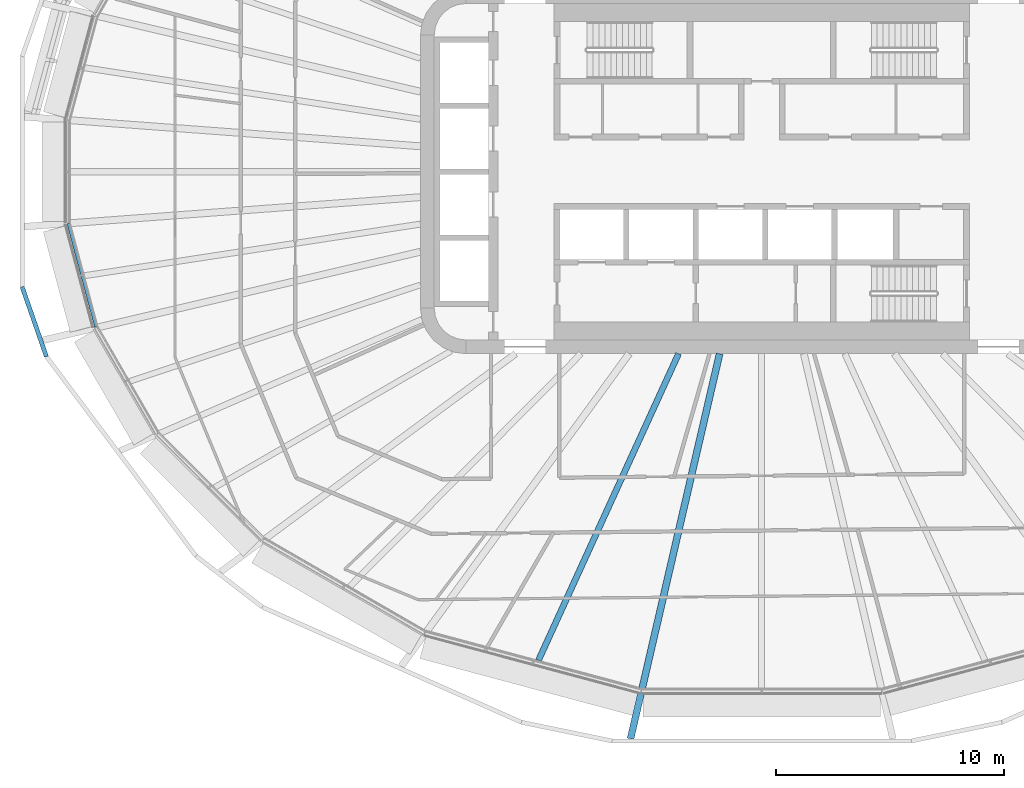
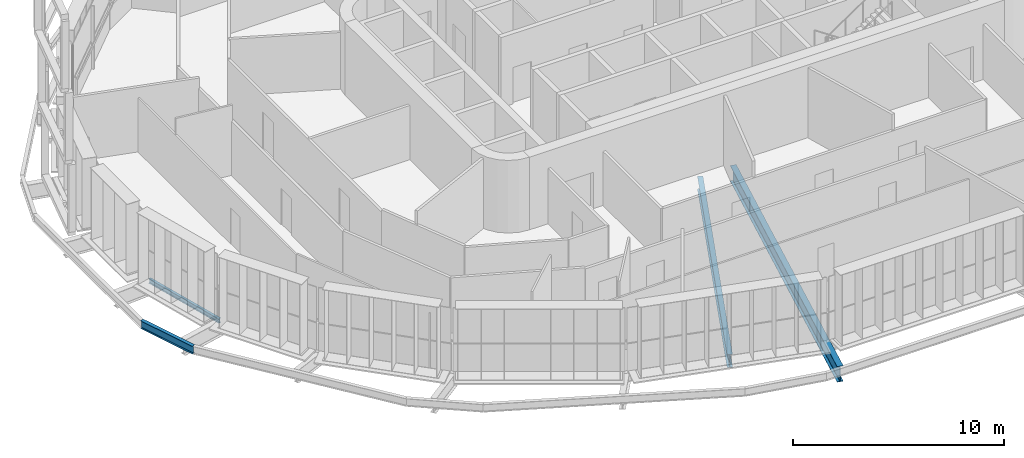
# One storey, part 2 of 24: 4 beams.
"""IFC4 building model written with IfcOpenShell, lengths in metres."""

from ifc_helpers import new_model, si_unit, direction, frame, origin, origin_2d, place, context, subcontext, project, spatial, i_section, extrude, material, material_profile, profile_set, type_object, element, save


model = new_model("IFC4")

# Units and contexts
model_context = context("Model", 3, precision=1e-05, world=origin(), true_north=direction((0.0, 1.0)))
body_context = subcontext(model_context, "Body", "Model", "MODEL_VIEW")
ifc_project = project(units=[si_unit("LENGTHUNIT", "METRE"), si_unit("AREAUNIT", "SQUARE_METRE"), si_unit("VOLUMEUNIT", "CUBIC_METRE"), si_unit("PLANEANGLEUNIT", "RADIAN"), si_unit("MASSUNIT", "GRAM", prefix="KILO")], contexts=[model_context])

# Site, building, storey
site_placement = place(None, origin())
site = spatial("IfcSite", under=ifc_project, at=site_placement, CompositionType="ELEMENT")
building_placement = place(site_placement, origin())
building = spatial("IfcBuilding", under=site, at=building_placement, Name="Sahrelin Media Tower", CompositionType="ELEMENT")
storey_placement = place(building_placement, frame((0.0, 0.0, 58.800048828125)))
storey = spatial("IfcBuildingStorey", under=building, at=storey_placement, Name="L09", CompositionType="ELEMENT", Elevation=58.800048828125)

# Beams
ifc_material = material(Name="Steel S355", Category="steel")
ifc_material_profile_1 = material_profile(ifc_material, i_section(OverallWidth=0.14599609375, OverallDepth=0.25146484375, WebThickness=0.006103515625, FlangeThickness=0.008544921875, FilletRadius=0.007568359375, at=origin_2d()), Name="UB 254x146x31")
ifc_profile_set_1 = profile_set([ifc_material_profile_1], Name="Steel S355")
beam_type_1 = type_object("IfcBeamType", Name="Edge beam EB1", PredefinedType="BEAM", material=ifc_profile_set_1)
beam_1_placement = place(storey_placement, frame((-29.247314453125, -6.818115234375, -0.275634765625), z_axis=(-0.258819114227, 0.965925807767, 0.0), x_axis=(-0.965925807767, -0.258819114227, 0.0)))
element("IfcBeam", 1, at=beam_1_placement, inside=storey, type_object=beam_type_1, Name="Edge beam L09-12", PredefinedType="BEAM", context=body_context, shape_type="SweptSolid", body=[
    extrude(i_section(OverallWidth=0.14599609375, OverallDepth=0.25146484375, WebThickness=0.006103515625, FlangeThickness=0.008544921875, FilletRadius=0.007568359375, at=origin_2d()), origin(), (0.0, 0.0, 1.0), 4.703125),
])
ifc_material_profile_2 = material_profile(ifc_material, i_section(OverallWidth=0.30322265625, OverallDepth=0.903076171875, WebThickness=0.01513671875, FlangeThickness=0.020263671875, FilletRadius=0.01904296875, at=origin_2d()), Name="UB 914x305x201")
ifc_profile_set_2 = profile_set([ifc_material_profile_2], Name="Steel S355")
beam_type_2 = type_object("IfcBeamType", Name="Radial primary beam PB11", PredefinedType="BEAM", material=ifc_profile_set_2)
beam_2_placement = place(storey_placement, frame((-1.85107421875, -8.0, -0.6015625), z_axis=(-0.225438360728, -0.974257432875, 0.0), x_axis=(0.974257432875, -0.225438360728, 0.0)))
element("IfcBeam", 2, at=beam_2_placement, inside=storey, type_object=beam_type_2, Name="Radial beam L09-18", PredefinedType="BEAM", context=body_context, shape_type="SweptSolid", body=[
    extrude(i_section(OverallWidth=0.30322265625, OverallDepth=0.903076171875, WebThickness=0.01513671875, FlangeThickness=0.020263671875, FilletRadius=0.01904296875, at=origin_2d()), origin(), (0.0, 0.0, 1.0), 17.371826171875),
])
ifc_material_profile_3 = material_profile(ifc_material, i_section(OverallWidth=0.26513671875, OverallDepth=0.75390625, WebThickness=0.0126953125, FlangeThickness=0.017578125, FilletRadius=0.0166015625, at=origin_2d()), Name="UB 762x267x147")
ifc_profile_set_3 = profile_set([ifc_material_profile_3], Name="Steel S355")
beam_type_3 = type_object("IfcBeamType", Name="Radial secondary beam SB9", PredefinedType="BEAM", material=ifc_profile_set_3)
beam_3_placement = place(storey_placement, frame((-3.655517578125, -8.0, -0.527099609375), z_axis=(-0.415602418325, -0.909546386878, 0.0), x_axis=(0.909546386878, -0.415602418325, 0.0)))
element("IfcBeam", 3, at=beam_3_placement, inside=storey, type_object=beam_type_3, Name="Secondary beam L09-17", PredefinedType="BEAM", context=body_context, shape_type="SweptSolid", body=[
    extrude(i_section(OverallWidth=0.26513671875, OverallDepth=0.75390625, WebThickness=0.0126953125, FlangeThickness=0.017578125, FilletRadius=0.0166015625, at=origin_2d()), origin(), (0.0, 0.0, 1.0), 14.815185546875),
])
ifc_material_profile_4 = material_profile(ifc_material, i_section(OverallWidth=0.1904296875, OverallDepth=0.45703125, WebThickness=0.009033203125, FlangeThickness=0.014404296875, FilletRadius=0.01025390625, at=origin_2d()), Name="UB 457x191x74")
ifc_profile_set_4 = profile_set([ifc_material_profile_4], Name="Steel S355")
beam_type_4 = type_object("IfcBeamType", Name="Tie chord TC5", PredefinedType="BEAM", material=ifc_profile_set_4)
beam_4_placement = place(storey_placement, frame((-32.506103515625, -5.06396484375, -0.378662109375), z_axis=(0.328766059116, -0.944411392547, 0.0), x_axis=(0.944411392547, 0.328766059116, 0.0)))
element("IfcBeam", 4, at=beam_4_placement, inside=storey, type_object=beam_type_4, Name="Tie chord L09-13", PredefinedType="BEAM", context=body_context, shape_type="SweptSolid", body=[
    extrude(i_section(OverallWidth=0.1904296875, OverallDepth=0.45703125, WebThickness=0.009033203125, FlangeThickness=0.014404296875, FilletRadius=0.01025390625, at=origin_2d()), origin(), (0.0, 0.0, 1.0), 3.24072265625),
])

save(model, "model.ifc")
